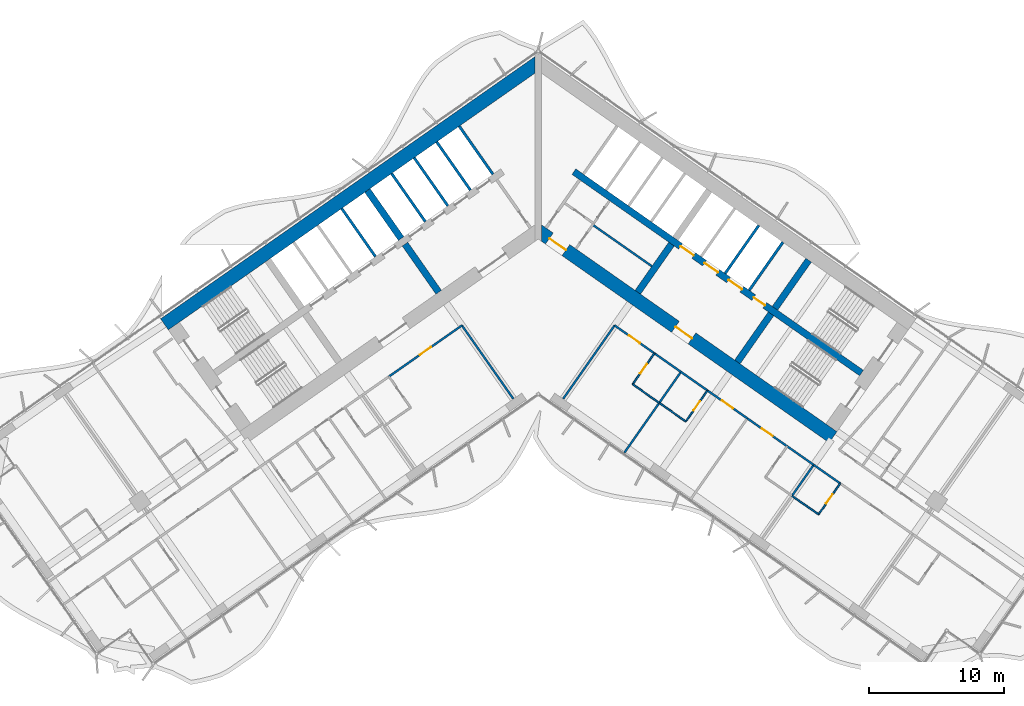
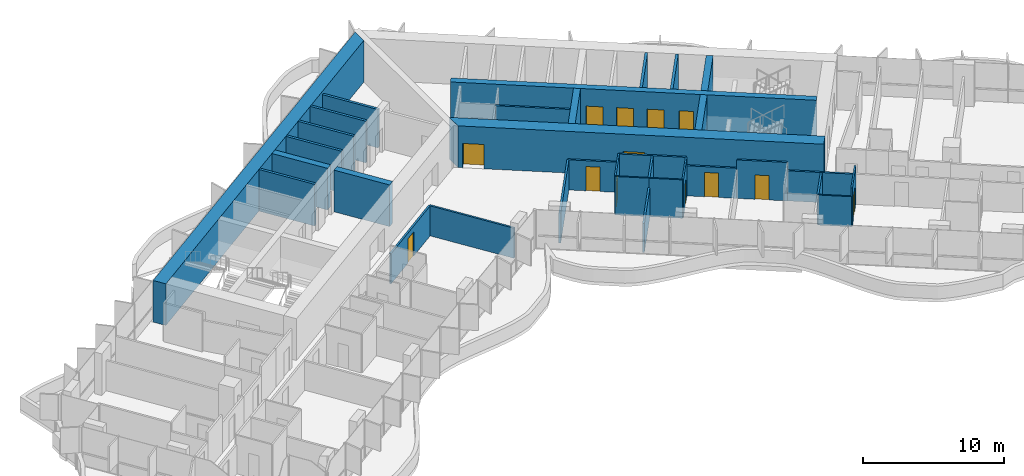
# One storey, part 14 of 23: 35 walls, 13 doors, 13 openings.
"""IFC4 building model written with IfcOpenShell, lengths in metres."""

from ifc_helpers import new_model, si_unit, direction, frame, frame_2d, origin, place, context, subcontext, project, spatial, polyline, rectangle, outline, extrude, material, layer, layer_set, type_object, element, fill, save


model = new_model("IFC4")

# Units and contexts
model_context = context("Model", 3, precision=1e-05, world=origin(), true_north=direction((0.0, 1.0)))
body_context = subcontext(model_context, "Body", "Model", "MODEL_VIEW")
ifc_project = project(units=[si_unit("LENGTHUNIT", "METRE"), si_unit("AREAUNIT", "SQUARE_METRE"), si_unit("VOLUMEUNIT", "CUBIC_METRE"), si_unit("PLANEANGLEUNIT", "RADIAN"), si_unit("MASSUNIT", "GRAM", prefix="KILO")], contexts=[model_context])

# Site, building, storey
site_placement = place(None, origin())
site = spatial("IfcSite", under=ifc_project, at=site_placement, CompositionType="ELEMENT")
building_placement = place(site_placement, origin())
building = spatial("IfcBuilding", under=site, at=building_placement, Name="Tel Ilan Convention Tower", CompositionType="ELEMENT")
storey_placement = place(building_placement, frame((0.0, 0.0, 101.300048828125)))
storey = spatial("IfcBuildingStorey", under=building, at=storey_placement, Name="L21", CompositionType="ELEMENT", Elevation=101.300048828125)

# Walls
ifc_material_1 = material(Name="Gypsum Plasterboard on Steel Stud", Category="steel")
ifc_layer_1 = layer(ifc_material_1, 0.14990234375)
ifc_layer_set_1 = layer_set([ifc_layer_1], Name="Core Room Partition Wall 150 mm EI 60")
wall_type_1 = type_object("IfcWallType", Name="Core Room Partition Wall 150 mm EI 60", PredefinedType="PARTITIONING", material=ifc_layer_set_1)
wall_1_placement = place(storey_placement, frame((4.03271484375, -0.16845703125, 0.0), z_axis=(0.0, 0.0, 1.0), x_axis=(0.819146154531, -0.573584847705, 0.0)))
element("IfcWall", 1, at=wall_1_placement, inside=storey, type_object=wall_type_1, Name="L21 core wall wc-h2", PredefinedType="PARTITIONING", context=body_context, shape_type="SweptSolid", body=[
    extrude(rectangle(XDim=5.349853515625, YDim=0.14990234375, at=frame_2d((2.6748046875, 0.0))), origin(), (0.0, 0.0, 1.0), 3.320068359375),
])
ifc_material_2 = material(Name="Concrete C30/37", Category="concrete")
ifc_layer_2 = layer(ifc_material_2, 0.199951171875)
ifc_layer_set_2 = layer_set([ifc_layer_2], Name="Core Service Room Wall 200 mm C30/37")
wall_type_2 = type_object("IfcWallType", Name="Core Service Room Wall 200 mm C30/37", PredefinedType="SOLIDWALL", material=ifc_layer_set_2)
wall_2_placement = place(storey_placement, frame((-3.355224609375, 3.5712890625, 0.0), z_axis=(0.0, 0.0, 1.0), x_axis=(-0.57356780395, 0.819158088694, 0.0)))
element("IfcWall", 2, at=wall_2_placement, inside=storey, type_object=wall_type_2, Name="L21 core wall apex-W-b", PredefinedType="SOLIDWALL", context=body_context, shape_type="SweptSolid", body=[
    extrude(rectangle(XDim=4.35009765625, YDim=0.199951171875, at=frame_2d((2.175048828125, 0.0))), origin(), (0.0, 0.0, 1.0), 3.320068359375),
])
ifc_material_3 = material(Name="Concrete C60/75", Category="concrete")
ifc_layer_3 = layer(ifc_material_3, 1.0)
ifc_layer_set_3 = layer_set([ifc_layer_3], Name="Core Shear Wall 1000 mm C60/75")
wall_type_3 = type_object("IfcWallType", Name="Core Shear Wall 1000 mm C60/75", PredefinedType="SHEAR", material=ifc_layer_set_3)
wall_3_placement = place(storey_placement, frame((0.036865234375, 11.8671875, 0.0), z_axis=(0.0, 0.0, 1.0), x_axis=(-0.819155306259, -0.573571777746, 0.0)))
element("IfcWall", 3, at=wall_3_placement, inside=storey, type_object=wall_type_3, Name="L21 core wall W-back", PredefinedType="SHEAR", context=body_context, shape_type="SweptSolid", body=[
    extrude(outline(polyline([(33.8369140625, 0.5), (0.7001953125, 0.499755859375), (0.0, -0.5), (33.8369140625, -0.5), (33.8369140625, 0.5)])), origin(), (0.0, 0.0, 1.0), 3.599853515625),
])

# Wall, openings, doors
wall_4_placement = place(storey_placement, frame((-0.036865234375, -0.584716796875, 0.0), z_axis=(0.0, 0.0, 1.0), x_axis=(0.819157152511, -0.573569140985, 0.0)))
wall_4 = element("IfcWall", 4, at=wall_4_placement, inside=storey, type_object=wall_type_3, Name="L21 core wall E-front", PredefinedType="SHEAR", context=body_context, shape_type="SweptSolid", body=[
    extrude(outline(polyline([(26.69482421875, 0.499755859375), (0.0, 0.5), (0.7001953125, -0.499755859375), (26.69482421875, -0.500244140625), (26.69482421875, 0.499755859375)])), origin(), (0.0, 0.0, 1.0), 3.599853515625),
])
opening_1_placement = place(wall_4_placement, frame((1.044921875, 0.0, 0.0)))
opening_1 = element("IfcOpeningElement", 5, at=opening_1_placement, cuts=wall_4, Name="Opening CD1903", PredefinedType="OPENING", context=body_context, shape_type="SweptSolid", body=[
    extrude(rectangle(XDim=1.5, YDim=2.10009765625, at=frame_2d((0.75, 1.050048828125))), frame((0.0, 0.510009765625, 0.0), z_axis=(0.0, -1.0, 0.0), x_axis=(1.0, 0.0, 0.0)), (0.0, 0.0, 1.0), 1.02001953125),
])
opening_2_placement = place(wall_4_placement, frame((12.44482421875, 0.0, 0.0)))
opening_2 = element("IfcOpeningElement", 6, at=opening_2_placement, cuts=wall_4, Name="Opening CD1904", PredefinedType="OPENING", context=body_context, shape_type="SweptSolid", body=[
    extrude(rectangle(XDim=1.5, YDim=2.10009765625, at=frame_2d((0.75, 1.050048828125))), frame((0.0, 0.510009765625, 0.0), z_axis=(0.0, -1.0, 0.0), x_axis=(1.0, 0.0, 0.0)), (0.0, 0.0, 1.0), 1.02001953125),
])
ifc_material_4 = material(Name="Glazed Aluminium Door Leaf", Category="aluminium")
door_type_1 = type_object("IfcDoorType", Name="Lobby Opening Door 1500 x 2100 FD60S", OperationType="NOTDEFINED", PredefinedType="DOOR", material=ifc_material_4)
door_1_placement = place(opening_2_placement, origin())
door_1 = element("IfcDoor", 7, at=door_1_placement, inside=storey, type_object=door_type_1, Name="Firefighting Lobby door", OperationType="DOUBLE_DOOR_SINGLE_SWING", OverallHeight=2.10009765625, OverallWidth=1.5, PredefinedType="DOOR", context=body_context, shape_type="SweptSolid", body=[
    extrude(rectangle(XDim=1.5, YDim=2.10009765625, at=frame_2d((0.75, 1.050048828125))), frame((0.0, 0.02490234375, 0.0), z_axis=(0.0, -1.0, 0.0), x_axis=(1.0, 0.0, 0.0)), (0.0, 0.0, 1.0), 0.050048828125),
])
fill(opening_2, door_1)
ifc_material_5 = material(Name="Laminated Timber Door Leaf", Category="wood")
door_type_2 = type_object("IfcDoorType", Name="Toilet Door 1500 x 2100 FD30S", OperationType="NOTDEFINED", PredefinedType="DOOR", material=ifc_material_5)
door_2_placement = place(opening_1_placement, origin())
door_2 = element("IfcDoor", 8, at=door_2_placement, inside=storey, type_object=door_type_2, Name="WC Lobby door", OperationType="SINGLE_SWING_RIGHT", OverallHeight=2.10009765625, OverallWidth=1.5, PredefinedType="DOOR", context=body_context, shape_type="SweptSolid", body=[
    extrude(rectangle(XDim=1.5, YDim=2.10009765625, at=frame_2d((0.75, 1.050048828125))), frame((0.0, 0.02490234375, 0.0), z_axis=(0.0, -1.0, 0.0), x_axis=(1.0, 0.0, 0.0)), (0.0, 0.0, 1.0), 0.050048828125),
])
fill(opening_1, door_2)

# Walls
ifc_material_6 = material(Name="Concrete C60/75", Category="concrete")
ifc_layer_4 = layer(ifc_material_6, 0.5)
ifc_layer_set_4 = layer_set([ifc_layer_4], Name="Core Shear Wall 500 mm C60/75")
wall_type_4 = type_object("IfcWallType", Name="Core Shear Wall 500 mm C60/75", PredefinedType="SHEAR", material=ifc_layer_set_4)
wall_5_placement = place(storey_placement, frame((-7.372314453125, -5.162109375, 0.0), z_axis=(0.0, 0.0, 1.0), x_axis=(-0.573594173421, 0.819139624372, 0.0)))
element("IfcWall", 9, at=wall_5_placement, inside=storey, type_object=wall_type_4, Name="L21 core wall W-cross1-1", PredefinedType="SHEAR", context=body_context, shape_type="SweptSolid", body=[
    extrude(outline(polyline([(4.349853515625, 0.25), (0.0, 0.250244140625), (0.0, -0.25), (4.349853515625, -0.25), (4.349853515625, 0.25)])), origin(), (0.0, 0.0, 1.0), 3.599853515625),
])
wall_6_placement = place(storey_placement, frame((-10.154296875, -1.189208984375, 0.0), z_axis=(0.0, 0.0, 1.0), x_axis=(-0.573594173421, 0.819139624372, 0.0)))
element("IfcWall", 10, at=wall_6_placement, inside=storey, type_object=wall_type_4, Name="L21 core wall W-cross1-2", PredefinedType="SHEAR", context=body_context, shape_type="SweptSolid", body=[
    extrude(outline(polyline([(4.349853515625, -0.25), (4.349853515625, 0.25), (-0.000244140625, 0.25), (-0.000244140625, -0.25), (4.349853515625, -0.25)])), origin(), (0.0, 0.0, 1.0), 3.599853515625),
])
wall_7_placement = place(storey_placement, frame((7.372314453125, -5.162109375, 0.0), z_axis=(0.0, 0.0, 1.0), x_axis=(0.573594173421, 0.819139624372, 0.0)))
element("IfcWall", 11, at=wall_7_placement, inside=storey, type_object=wall_type_4, Name="L21 core wall E-cross1-1", PredefinedType="SHEAR", context=body_context, shape_type="SweptSolid", body=[
    extrude(outline(polyline([(0.0, 0.25), (0.0, -0.250244140625), (4.349853515625, -0.25), (4.349853515625, 0.25), (0.0, 0.25)])), origin(), (0.0, 0.0, 1.0), 3.599853515625),
])
wall_8_placement = place(storey_placement, frame((14.74462890625, -10.324462890625, 0.0), z_axis=(0.0, 0.0, 1.0), x_axis=(0.57356780395, 0.819158088694, 0.0)))
element("IfcWall", 12, at=wall_8_placement, inside=storey, type_object=wall_type_4, Name="L21 core wall E-cross2-1", PredefinedType="SHEAR", context=body_context, shape_type="SweptSolid", body=[
    extrude(outline(polyline([(0.0, 0.25), (0.0, -0.25), (4.35009765625, -0.250244140625), (4.35009765625, 0.25), (0.0, 0.25)])), origin(), (0.0, 0.0, 1.0), 3.599853515625),
])
wall_9_placement = place(storey_placement, frame((17.526611328125, -6.3515625, 0.0), z_axis=(0.0, 0.0, 1.0), x_axis=(0.573530143085, 0.819184457233, 0.0)))
element("IfcWall", 13, at=wall_9_placement, inside=storey, type_object=wall_type_4, Name="L21 core wall E-cross2-2", PredefinedType="SHEAR", context=body_context, shape_type="SweptSolid", body=[
    extrude(outline(polyline([(4.35009765625, -0.250244140625), (4.35009765625, 0.249755859375), (0.0, 0.25), (0.0, -0.25), (4.35009765625, -0.250244140625)])), origin(), (0.0, 0.0, 1.0), 3.599853515625),
])

# Wall, openings, doors
wall_10_placement = place(storey_placement, frame((2.638427734375, 3.76806640625, 0.0), z_axis=(0.0, 0.0, 1.0), x_axis=(0.819148977158, -0.573580816643, 0.0)))
wall_10 = element("IfcWall", 14, at=wall_10_placement, inside=storey, type_object=wall_type_4, Name="L21 core wall E-spine", PredefinedType="SHEAR", context=body_context, shape_type="SweptSolid", body=[
    extrude(outline(polyline([(0.0, 0.25), (0.0, -0.25), (26.0, -0.249755859375), (26.0, 0.250244140625), (0.0, 0.25)])), origin(), (0.0, 0.0, 1.0), 3.599853515625),
])
opening_3_placement = place(wall_10_placement, frame((9.637451171875, 0.0, 0.0)))
opening_3 = element("IfcOpeningElement", 15, at=opening_3_placement, cuts=wall_10, Name="Opening LD1901", PredefinedType="OPENING", context=body_context, shape_type="SweptSolid", body=[
    extrude(rectangle(XDim=1.199951171875, YDim=2.10009765625, at=frame_2d((0.60009765625, 1.050048828125))), frame((0.0, 0.260009765625, 0.0), z_axis=(0.0, -1.0, 0.0), x_axis=(1.0, 0.0, 0.0)), (0.0, 0.0, 1.0), 0.52001953125),
])
opening_4_placement = place(wall_10_placement, frame((11.8125, 0.0, 0.0)))
opening_4 = element("IfcOpeningElement", 16, at=opening_4_placement, cuts=wall_10, Name="Opening LD1902", PredefinedType="OPENING", context=body_context, shape_type="SweptSolid", body=[
    extrude(rectangle(XDim=1.199951171875, YDim=2.10009765625, at=frame_2d((0.60009765625, 1.050048828125))), frame((0.0, 0.260009765625, 0.0), z_axis=(0.0, -1.0, 0.0), x_axis=(1.0, 0.0, 0.0)), (0.0, 0.0, 1.0), 0.52001953125),
])
opening_5_placement = place(wall_10_placement, frame((13.987548828125, 0.0, 0.0)))
opening_5 = element("IfcOpeningElement", 17, at=opening_5_placement, cuts=wall_10, Name="Opening LD1903", PredefinedType="OPENING", context=body_context, shape_type="SweptSolid", body=[
    extrude(rectangle(XDim=1.199951171875, YDim=2.10009765625, at=frame_2d((0.60009765625, 1.050048828125))), frame((0.0, 0.260009765625, 0.0), z_axis=(0.0, -1.0, 0.0), x_axis=(1.0, 0.0, 0.0)), (0.0, 0.0, 1.0), 0.52001953125),
])
opening_6_placement = place(wall_10_placement, frame((16.262451171875, 0.0, 0.0)))
opening_6 = element("IfcOpeningElement", 18, at=opening_6_placement, cuts=wall_10, Name="Opening CD1907", PredefinedType="OPENING", context=body_context, shape_type="SweptSolid", body=[
    extrude(rectangle(XDim=1.0, YDim=2.10009765625, at=frame_2d((0.5, 1.050048828125))), frame((0.0, 0.260009765625, 0.0), z_axis=(0.0, -1.0, 0.0), x_axis=(1.0, 0.0, 0.0)), (0.0, 0.0, 1.0), 0.52001953125),
])
ifc_material_7 = material(Name="Stainless Steel Sliding Door Leaf", Category="steel")
door_type_3 = type_object("IfcDoorType", Name="Lift Landing Door 1200 x 2100 FD120", OperationType="NOTDEFINED", PredefinedType="DOOR", material=ifc_material_7)
door_3_placement = place(opening_3_placement, origin())
door_3 = element("IfcDoor", 19, at=door_3_placement, inside=storey, type_object=door_type_3, Name="Lift FL1 landing door", OperationType="SLIDING_TO_LEFT", OverallHeight=2.10009765625, OverallWidth=1.199951171875, PredefinedType="DOOR", context=body_context, shape_type="SweptSolid", body=[
    extrude(rectangle(XDim=1.199951171875, YDim=2.10009765625, at=frame_2d((0.60009765625, 1.050048828125))), frame((0.0, 0.02490234375, 0.0), z_axis=(0.0, -1.0, 0.0), x_axis=(1.0, 0.0, 0.0)), (0.0, 0.0, 1.0), 0.050048828125),
])
fill(opening_3, door_3)
door_4_placement = place(opening_4_placement, origin())
door_4 = element("IfcDoor", 20, at=door_4_placement, inside=storey, type_object=door_type_3, Name="Lift FL2 landing door", OperationType="SLIDING_TO_RIGHT", OverallHeight=2.10009765625, OverallWidth=1.199951171875, PredefinedType="DOOR", context=body_context, shape_type="SweptSolid", body=[
    extrude(rectangle(XDim=1.199951171875, YDim=2.10009765625, at=frame_2d((0.60009765625, 1.050048828125))), frame((0.0, 0.02490234375, 0.0), z_axis=(0.0, -1.0, 0.0), x_axis=(1.0, 0.0, 0.0)), (0.0, 0.0, 1.0), 0.050048828125),
])
fill(opening_4, door_4)
door_5_placement = place(opening_5_placement, origin())
door_5 = element("IfcDoor", 21, at=door_5_placement, inside=storey, type_object=door_type_3, Name="Lift FL3 landing door", OperationType="SLIDING_TO_LEFT", OverallHeight=2.10009765625, OverallWidth=1.199951171875, PredefinedType="DOOR", context=body_context, shape_type="SweptSolid", body=[
    extrude(rectangle(XDim=1.199951171875, YDim=2.10009765625, at=frame_2d((0.60009765625, 1.050048828125))), frame((0.0, 0.02490234375, 0.0), z_axis=(0.0, -1.0, 0.0), x_axis=(1.0, 0.0, 0.0)), (0.0, 0.0, 1.0), 0.050048828125),
])
fill(opening_5, door_5)
ifc_material_8 = material(Name="Galvanised Steel Door Leaf", Category="steel")
door_type_4 = type_object("IfcDoorType", Name="Service Room Door 1000 x 2100 FD60", OperationType="NOTDEFINED", PredefinedType="DOOR", material=ifc_material_8)
door_6_placement = place(opening_6_placement, origin())
door_6 = element("IfcDoor", 22, at=door_6_placement, inside=storey, type_object=door_type_4, Name="Plant Room door", OperationType="SINGLE_SWING_RIGHT", OverallHeight=2.10009765625, OverallWidth=1.0, PredefinedType="DOOR", context=body_context, shape_type="SweptSolid", body=[
    extrude(rectangle(XDim=1.0, YDim=2.10009765625, at=frame_2d((0.5, 1.050048828125))), frame((0.0, 0.02490234375, 0.0), z_axis=(0.0, -1.0, 0.0), x_axis=(1.0, 0.0, 0.0)), (0.0, 0.0, 1.0), 0.050048828125),
])
fill(opening_6, door_6)

# Wall, opening, door
ifc_material_9 = material(Name="Plasterboard on Steel Studs", Category="steel")
ifc_layer_5 = layer(ifc_material_9, 0.14990234375)
ifc_layer_set_5 = layer_set([ifc_layer_5], Name="Fire-rated Partition 150 EI 60")
wall_type_5 = type_object("IfcWallType", Name="Fire-rated Partition 150 EI 60", PredefinedType="PARTITIONING", material=ifc_layer_set_5)
wall_11_placement = place(storey_placement, frame((8.601318359375, -9.68505859375, 0.0), z_axis=(0.0, 0.0, 1.0), x_axis=(-0.819149096931, 0.573580645591, 0.0)))
wall_11 = element("IfcWall", 23, at=wall_11_placement, inside=storey, type_object=wall_type_5, Name="Partition 006", PredefinedType="PARTITIONING", context=body_context, shape_type="SweptSolid", body=[
    extrude(rectangle(XDim=3.600830078125, YDim=0.14990234375, at=frame_2d((1.80029296875, 0.0))), origin(), (0.0, 0.0, 1.0), 2.599853515625),
])
opening_7_placement = place(wall_11_placement, frame((1.301025390625, 0.0, 0.0)))
opening_7 = element("IfcOpeningElement", 24, at=opening_7_placement, cuts=wall_11, Name="Opening L21-020", PredefinedType="OPENING", context=body_context, shape_type="SweptSolid", body=[
    extrude(rectangle(XDim=1.0, YDim=2.10009765625, at=frame_2d((0.5, 1.050048828125))), frame((0.0, 0.0849609375, 0.0), z_axis=(0.0, -1.0, 0.0), x_axis=(1.0, 0.0, 0.0)), (0.0, 0.0, 1.0), 0.169921875),
])
ifc_material_10 = material(Name="Timber Door Leaf in Steel Frame", Category="steel")
door_type_5 = type_object("IfcDoorType", Name="Hotel Room Entrance Fire Door 1000x2100", OperationType="NOTDEFINED", PredefinedType="DOOR", material=ifc_material_10)
door_7_placement = place(opening_7_placement, origin())
door_7 = element("IfcDoor", 25, at=door_7_placement, inside=storey, type_object=door_type_5, Name="Door L21-020", OperationType="SINGLE_SWING_RIGHT", OverallHeight=2.10009765625, OverallWidth=1.0, PredefinedType="DOOR", context=body_context, shape_type="SweptSolid", body=[
    extrude(rectangle(XDim=1.0, YDim=2.10009765625, at=frame_2d((0.5, 1.050048828125))), frame((0.0, 0.02490234375, 0.0), z_axis=(0.0, -1.0, 0.0), x_axis=(1.0, 0.0, 0.0)), (0.0, 0.0, 1.0), 0.050048828125),
])
fill(opening_7, door_7)

# Wall
wall_12_placement = place(storey_placement, frame((10.568115234375, -11.062255859375, 0.0), z_axis=(0.0, 0.0, 1.0), x_axis=(-0.819146032251, 0.573585022335, 0.0)))
element("IfcWall", 26, at=wall_12_placement, inside=storey, type_object=wall_type_5, Name="Partition 007", PredefinedType="PARTITIONING", context=body_context, shape_type="SweptSolid", body=[
    extrude(rectangle(XDim=2.404052734375, YDim=0.14990234375, at=frame_2d((1.2021484375, 0.0))), origin(), (0.0, 0.0, 1.0), 3.320068359375),
])

# Wall, opening, door
wall_13_placement = place(storey_placement, frame((15.483154296875, -14.503662109375, 0.0), z_axis=(0.0, 0.0, 1.0), x_axis=(-0.819145961204, 0.573585123798, 0.0)))
wall_13 = element("IfcWall", 27, at=wall_13_placement, inside=storey, type_object=wall_type_5, Name="Partition 008", PredefinedType="PARTITIONING", context=body_context, shape_type="SweptSolid", body=[
    extrude(rectangle(XDim=3.60302734375, YDim=0.14990234375, at=frame_2d((1.801513671875, 0.0))), origin(), (0.0, 0.0, 1.0), 2.599853515625),
])
opening_8_placement = place(wall_13_placement, frame((1.302001953125, 0.0, 0.0)))
opening_8 = element("IfcOpeningElement", 28, at=opening_8_placement, cuts=wall_13, Name="Opening L21-022", PredefinedType="OPENING", context=body_context, shape_type="SweptSolid", body=[
    extrude(rectangle(XDim=1.0, YDim=2.10009765625, at=frame_2d((0.5, 1.050048828125))), frame((0.0, 0.0849609375, 0.0), z_axis=(0.0, -1.0, 0.0), x_axis=(1.0, 0.0, 0.0)), (0.0, 0.0, 1.0), 0.169921875),
])
door_8_placement = place(opening_8_placement, origin())
door_8 = element("IfcDoor", 29, at=door_8_placement, inside=storey, type_object=door_type_5, Name="Door L21-022", OperationType="SINGLE_SWING_RIGHT", OverallHeight=2.10009765625, OverallWidth=1.0, PredefinedType="DOOR", context=body_context, shape_type="SweptSolid", body=[
    extrude(rectangle(XDim=1.0, YDim=2.10009765625, at=frame_2d((0.5, 1.050048828125))), frame((0.0, 0.02490234375, 0.0), z_axis=(0.0, -1.0, 0.0), x_axis=(1.0, 0.0, 0.0)), (0.0, 0.0, 1.0), 0.050048828125),
])
fill(opening_8, door_8)

# Wall
wall_14_placement = place(storey_placement, frame((12.5341796875, -12.438720703125, 0.0), z_axis=(0.0, 0.0, 1.0), x_axis=(-0.819193748, 0.57351687267, 0.0)))
element("IfcWall", 30, at=wall_14_placement, inside=storey, type_object=wall_type_5, Name="Partition 009", PredefinedType="PARTITIONING", context=body_context, shape_type="SweptSolid", body=[
    extrude(rectangle(XDim=2.40380859375, YDim=0.14990234375, at=frame_2d((1.201904296875, 0.0))), origin(), (0.0, 0.0, 1.0), 3.320068359375),
])

# Wall, opening, door
wall_15_placement = place(storey_placement, frame((18.43115234375, -16.568115234375, 0.0), z_axis=(0.0, 0.0, 1.0), x_axis=(-0.819145961204, 0.573585123798, 0.0)))
wall_15 = element("IfcWall", 31, at=wall_15_placement, inside=storey, type_object=wall_type_5, Name="Partition 010", PredefinedType="PARTITIONING", context=body_context, shape_type="SweptSolid", body=[
    extrude(rectangle(XDim=3.60302734375, YDim=0.14990234375, at=frame_2d((1.801513671875, 0.0))), origin(), (0.0, 0.0, 1.0), 3.320068359375),
])
opening_9_placement = place(wall_15_placement, frame((1.301025390625, 0.0, 0.0)))
opening_9 = element("IfcOpeningElement", 32, at=opening_9_placement, cuts=wall_15, Name="Opening L21-024", PredefinedType="OPENING", context=body_context, shape_type="SweptSolid", body=[
    extrude(rectangle(XDim=1.0, YDim=2.10009765625, at=frame_2d((0.5, 1.050048828125))), frame((0.0, 0.0849609375, 0.0), z_axis=(0.0, -1.0, 0.0), x_axis=(1.0, 0.0, 0.0)), (0.0, 0.0, 1.0), 0.169921875),
])
door_9_placement = place(opening_9_placement, origin())
door_9 = element("IfcDoor", 33, at=door_9_placement, inside=storey, type_object=door_type_5, Name="Door L21-024", OperationType="SINGLE_SWING_RIGHT", OverallHeight=2.10009765625, OverallWidth=1.0, PredefinedType="DOOR", context=body_context, shape_type="SweptSolid", body=[
    extrude(rectangle(XDim=1.0, YDim=2.10009765625, at=frame_2d((0.5, 1.050048828125))), frame((0.0, 0.02490234375, 0.0), z_axis=(0.0, -1.0, 0.0), x_axis=(1.0, 0.0, 0.0)), (0.0, 0.0, 1.0), 0.050048828125),
])
fill(opening_9, door_9)

# Walls
for number, where, z_axis, x_axis, name in (
    (34, (20.39794921875, -17.9453125, 0.0), (0.0, 0.0, 1.0), (-0.819146032251, 0.573585022335, 0.0), "Partition 011"),
    (35, (22.364013671875, -19.32177734375, 0.0), (0.0, 0.0, 1.0), (-0.819146032251, 0.573585022335, 0.0), "Partition 013"),
):
    element("IfcWall", number, at=place(storey_placement, frame(where, z_axis=z_axis, x_axis=x_axis)), inside=storey, type_object=wall_type_5, Name=name, PredefinedType="PARTITIONING", context=body_context, shape_type="SweptSolid", body=[
        extrude(rectangle(XDim=2.404052734375, YDim=0.14990234375, at=frame_2d((1.2021484375, 0.0))), origin(), (0.0, 0.0, 1.0), 2.599853515625),
    ])

# Wall, opening, door
wall_16_placement = place(storey_placement, frame((-5.651611328125, -7.61962890625, 0.0), z_axis=(0.0, 0.0, 1.0), x_axis=(-0.819155459934, -0.573571558274, 0.0)))
wall_16 = element("IfcWall", 36, at=wall_16_placement, inside=storey, type_object=wall_type_5, Name="Partition 022", PredefinedType="PARTITIONING", context=body_context, shape_type="SweptSolid", body=[
    extrude(rectangle(XDim=6.60107421875, YDim=0.14990234375, at=frame_2d((3.300537109375, 0.0))), origin(), (0.0, 0.0, 1.0), 2.599853515625),
])
opening_10_placement = place(wall_16_placement, frame((2.800048828125, 0.0, 0.0)))
opening_10 = element("IfcOpeningElement", 37, at=opening_10_placement, cuts=wall_16, Name="Opening L21-002", PredefinedType="OPENING", context=body_context, shape_type="SweptSolid", body=[
    extrude(rectangle(XDim=1.0, YDim=2.10009765625, at=frame_2d((0.5, 1.050048828125))), frame((0.0, 0.0849609375, 0.0), z_axis=(0.0, -1.0, 0.0), x_axis=(1.0, 0.0, 0.0)), (0.0, 0.0, 1.0), 0.169921875),
])
door_10_placement = place(opening_10_placement, origin())
door_10 = element("IfcDoor", 38, at=door_10_placement, inside=storey, type_object=door_type_5, Name="Door L21-002", OperationType="SINGLE_SWING_LEFT", OverallHeight=2.10009765625, OverallWidth=1.0, PredefinedType="DOOR", context=body_context, shape_type="SweptSolid", body=[
    extrude(rectangle(XDim=1.0, YDim=2.10009765625, at=frame_2d((0.5, 1.050048828125))), frame((0.0, 0.02490234375, 0.0), z_axis=(0.0, -1.0, 0.0), x_axis=(1.0, 0.0, 0.0)), (0.0, 0.0, 1.0), 0.050048828125),
])
fill(opening_10, door_10)

# Walls
wall_17_placement = place(storey_placement, frame((8.9599609375, -13.35546875, 0.0), z_axis=(0.0, 0.0, 1.0), x_axis=(-0.573564311442, -0.819160534108, 0.0)))
element("IfcWall", 39, at=wall_17_placement, inside=storey, type_object=wall_type_5, Name="Partition 046", PredefinedType="PARTITIONING", context=body_context, shape_type="SweptSolid", body=[
    extrude(rectangle(XDim=4.499267578125, YDim=0.14990234375, at=frame_2d((2.24951171875, 0.0))), origin(), (0.0, 0.0, 1.0), 2.5),
])
wall_18_placement = place(storey_placement, frame((1.848876953125, -13.050537109375, 0.0), z_axis=(0.0, 0.0, 1.0), x_axis=(0.57357355307, 0.819154063177, 0.0)))
element("IfcWall", 40, at=wall_18_placement, inside=storey, type_object=wall_type_5, Name="Partition 047", PredefinedType="PARTITIONING", context=body_context, shape_type="SweptSolid", body=[
    extrude(rectangle(XDim=6.6298828125, YDim=0.14990234375, at=frame_2d((3.31494140625, 0.0))), origin(), (0.0, 0.0, 1.0), 2.599853515625),
])
wall_19_placement = place(storey_placement, frame((10.566650390625, -11.06103515625, 0.0), z_axis=(0.0, 0.0, 1.0), x_axis=(-0.573608623498, -0.819129505664, 0.0)))
element("IfcWall", 41, at=wall_19_placement, inside=storey, type_object=wall_type_5, Name="Partition 048", PredefinedType="PARTITIONING", context=body_context, shape_type="SweptSolid", body=[
    extrude(rectangle(XDim=2.800048828125, YDim=0.14990234375, at=frame_2d((1.39990234375, 0.0))), origin(), (0.0, 0.0, 1.0), 3.320068359375),
])
wall_20_placement = place(storey_placement, frame((20.396484375, -17.944091796875, 0.0), z_axis=(0.0, 0.0, 1.0), x_axis=(-0.57364959175, -0.819100815459, 0.0)))
element("IfcWall", 42, at=wall_20_placement, inside=storey, type_object=wall_type_5, Name="Partition 055", PredefinedType="PARTITIONING", context=body_context, shape_type="SweptSolid", body=[
    extrude(rectangle(XDim=2.800048828125, YDim=0.14990234375, at=frame_2d((1.39990234375, 0.0))), origin(), (0.0, 0.0, 1.0), 2.599853515625),
])
wall_21_placement = place(storey_placement, frame((-1.848876953125, -13.050537109375, 0.0), z_axis=(0.0, 0.0, 1.0), x_axis=(-0.573575988258, 0.819152358047, 0.0)))
element("IfcWall", 43, at=wall_21_placement, inside=storey, type_object=wall_type_5, Name="Partition 062", PredefinedType="PARTITIONING", context=body_context, shape_type="SweptSolid", body=[
    extrude(rectangle(XDim=6.632080078125, YDim=0.14990234375, at=frame_2d((3.31591796875, 0.0))), origin(), (0.0, 0.0, 1.0), 2.599853515625),
])
ifc_material_11 = material(Name="Concrete C30/37", Category="concrete")
ifc_layer_6 = layer(ifc_material_11, 0.199951171875)
ifc_layer_set_6 = layer_set([ifc_layer_6], Name="Lift Shaft Wall 200 mm C30/37")
wall_type_6 = type_object("IfcWallType", Name="Lift Shaft Wall 200 mm C30/37", PredefinedType="SOLIDWALL", material=ifc_layer_set_6)
wall_22_placement = place(storey_placement, frame((-5.0244140625, 2.402587890625, 0.0), z_axis=(0.0, 0.0, 1.0), x_axis=(-0.573530143085, 0.819184457233, 0.0)))
element("IfcWall", 44, at=wall_22_placement, inside=storey, type_object=wall_type_6, Name="L21 core wall bank-W1-p0", PredefinedType="SOLIDWALL", context=body_context, shape_type="SweptSolid", body=[
    extrude(rectangle(XDim=4.35009765625, YDim=0.199951171875, at=frame_2d((2.175048828125, 0.0))), origin(), (0.0, 0.0, 1.0), 3.599853515625),
])
for number, where, z_axis, x_axis, name in (
    (45, (-6.693359375, 1.234130859375, 0.0), (0.0, 0.0, 1.0), (-0.573594173421, 0.819139624372, 0.0), "L21 core wall bank-W1-p1"),
    (46, (-8.3623046875, 0.0654296875, 0.0), (0.0, 0.0, 1.0), (-0.573594173421, 0.819139624372, 0.0), "L21 core wall bank-W1-p2"),
    (47, (-12.05859375, -2.52294921875, 0.0), (0.0, 0.0, 1.0), (-0.573594173421, 0.819139624372, 0.0), "L21 core wall bank-W2-p0"),
):
    element("IfcWall", number, at=place(storey_placement, frame(where, z_axis=z_axis, x_axis=x_axis)), inside=storey, type_object=wall_type_6, Name=name, PredefinedType="SOLIDWALL", context=body_context, shape_type="SweptSolid", body=[
        extrude(rectangle(XDim=4.349853515625, YDim=0.199951171875, at=frame_2d((2.1748046875, 0.0))), origin(), (0.0, 0.0, 1.0), 3.599853515625),
    ])
wall_23_placement = place(storey_placement, frame((13.84033203125, -3.7705078125, 0.0), z_axis=(0.0, 0.0, 1.0), x_axis=(0.57356780395, 0.819158088694, 0.0)))
element("IfcWall", 48, at=wall_23_placement, inside=storey, type_object=wall_type_6, Name="L21 core wall bank-E2-p1", PredefinedType="SOLIDWALL", context=body_context, shape_type="SweptSolid", body=[
    extrude(rectangle(XDim=4.35009765625, YDim=0.199951171875, at=frame_2d((2.175048828125, 0.0))), origin(), (0.0, 0.0, 1.0), 3.599853515625),
])
wall_24_placement = place(storey_placement, frame((15.6220703125, -5.017822265625, 0.0), z_axis=(0.0, 0.0, 1.0), x_axis=(0.573594173421, 0.819139624372, 0.0)))
element("IfcWall", 49, at=wall_24_placement, inside=storey, type_object=wall_type_6, Name="L21 core wall bank-E2-p2", PredefinedType="SOLIDWALL", context=body_context, shape_type="SweptSolid", body=[
    extrude(rectangle(XDim=4.349853515625, YDim=0.199951171875, at=frame_2d((2.1748046875, 0.0))), origin(), (0.0, 0.0, 1.0), 3.599853515625),
])

# Wall, opening, door
ifc_material_12 = material(Name="Plasterboard on Steel Studs", Category="steel")
ifc_layer_7 = layer(ifc_material_12, 0.1201171875)
ifc_layer_set_7 = layer_set([ifc_layer_7], Name="Moisture-resistant Partition 120")
wall_type_7 = type_object("IfcWallType", Name="Moisture-resistant Partition 120", PredefinedType="PARTITIONING", material=ifc_layer_set_7)
wall_25_placement = place(storey_placement, frame((8.599853515625, -9.683837890625, 0.0), z_axis=(0.0, 0.0, 1.0), x_axis=(-0.573550118428, -0.819170471667, 0.0)))
wall_25 = element("IfcWall", 50, at=wall_25_placement, inside=storey, type_object=wall_type_7, Name="Partition 044", PredefinedType="PARTITIONING", context=body_context, shape_type="SweptSolid", body=[
    extrude(rectangle(XDim=2.800048828125, YDim=0.1201171875, at=frame_2d((1.39990234375, 0.0))), origin(), (0.0, 0.0, 1.0), 3.320068359375),
])
opening_11_placement = place(wall_25_placement, frame((0.97509765625, 0.0, 0.0)))
opening_11 = element("IfcOpeningElement", 51, at=opening_11_placement, cuts=wall_25, Name="Opening L21-019", PredefinedType="OPENING", context=body_context, shape_type="SweptSolid", body=[
    extrude(rectangle(XDim=0.85009765625, YDim=2.050048828125, at=frame_2d((0.425048828125, 1.02490234375))), frame((0.0, 0.070068359375, 0.0), z_axis=(0.0, -1.0, 0.0), x_axis=(1.0, 0.0, 0.0)), (0.0, 0.0, 1.0), 0.14013671875),
])
ifc_material_13 = material(Name="Timber Door Leaf in Steel Frame", Category="steel")
door_type_6 = type_object("IfcDoorType", Name="Bathroom Timber Door 850x2050", OperationType="NOTDEFINED", PredefinedType="DOOR", material=ifc_material_13)
door_11_placement = place(opening_11_placement, origin())
door_11 = element("IfcDoor", 52, at=door_11_placement, inside=storey, type_object=door_type_6, Name="Door L21-019", OperationType="SINGLE_SWING_LEFT", OverallHeight=2.050048828125, OverallWidth=0.85009765625, PredefinedType="DOOR", context=body_context, shape_type="SweptSolid", body=[
    extrude(rectangle(XDim=0.85009765625, YDim=2.050048828125, at=frame_2d((0.425048828125, 1.02490234375))), frame((0.0, 0.02490234375, 0.0), z_axis=(0.0, -1.0, 0.0), x_axis=(1.0, 0.0, 0.0)), (0.0, 0.0, 1.0), 0.050048828125),
])
fill(opening_11, door_11)

# Walls
for number, where, z_axis, x_axis, name in (
    (53, (6.993896484375, -11.97900390625, 0.0), (0.0, 0.0, 1.0), (0.819188907105, -0.573523787192, 0.0), "Partition 045"),
    (54, (8.9599609375, -13.35546875, 0.0), (0.0, 0.0, 1.0), (0.819107643868, -0.573639841501, 0.0), "Partition 049"),
):
    element("IfcWall", number, at=place(storey_placement, frame(where, z_axis=z_axis, x_axis=x_axis)), inside=storey, type_object=wall_type_7, Name=name, PredefinedType="PARTITIONING", context=body_context, shape_type="SweptSolid", body=[
        extrude(rectangle(XDim=2.39990234375, YDim=0.1201171875, at=frame_2d((1.199951171875, 0.0))), origin(), (0.0, 0.0, 1.0), 3.320068359375),
    ])

# Wall, opening, door
wall_26_placement = place(storey_placement, frame((10.92724609375, -14.73193359375, 0.0), z_axis=(0.0, 0.0, 1.0), x_axis=(0.573550118428, 0.819170471667, 0.0)))
wall_26 = element("IfcWall", 55, at=wall_26_placement, inside=storey, type_object=wall_type_7, Name="Partition 050", PredefinedType="PARTITIONING", context=body_context, shape_type="SweptSolid", body=[
    extrude(rectangle(XDim=2.800048828125, YDim=0.1201171875, at=frame_2d((1.39990234375, 0.0))), origin(), (0.0, 0.0, 1.0), 3.320068359375),
])
opening_12_placement = place(wall_26_placement, frame((0.97509765625, 0.0, 0.0)))
opening_12 = element("IfcOpeningElement", 56, at=opening_12_placement, cuts=wall_26, Name="Opening L21-021", PredefinedType="OPENING", context=body_context, shape_type="SweptSolid", body=[
    extrude(rectangle(XDim=0.85009765625, YDim=2.050048828125, at=frame_2d((0.425048828125, 1.02490234375))), frame((0.0, 0.070068359375, 0.0), z_axis=(0.0, -1.0, 0.0), x_axis=(1.0, 0.0, 0.0)), (0.0, 0.0, 1.0), 0.14013671875),
])
door_12_placement = place(opening_12_placement, origin())
door_12 = element("IfcDoor", 57, at=door_12_placement, inside=storey, type_object=door_type_6, Name="Door L21-021", OperationType="SINGLE_SWING_LEFT", OverallHeight=2.050048828125, OverallWidth=0.85009765625, PredefinedType="DOOR", context=body_context, shape_type="SweptSolid", body=[
    extrude(rectangle(XDim=0.85009765625, YDim=2.050048828125, at=frame_2d((0.425048828125, 1.02490234375))), frame((0.0, 0.02490234375, 0.0), z_axis=(0.0, -1.0, 0.0), x_axis=(1.0, 0.0, 0.0)), (0.0, 0.0, 1.0), 0.050048828125),
])
fill(opening_12, door_12)

# Wall
wall_27_placement = place(storey_placement, frame((18.789794921875, -20.238525390625, 0.0), z_axis=(0.0, 0.0, 1.0), x_axis=(0.819188907105, -0.573523787192, 0.0)))
element("IfcWall", 58, at=wall_27_placement, inside=storey, type_object=wall_type_7, Name="Partition 056", PredefinedType="PARTITIONING", context=body_context, shape_type="SweptSolid", body=[
    extrude(rectangle(XDim=2.39990234375, YDim=0.1201171875, at=frame_2d((1.199951171875, 0.0))), origin(), (0.0, 0.0, 1.0), 2.599853515625),
])

# Wall, opening, door
wall_28_placement = place(storey_placement, frame((20.757080078125, -21.61474609375, 0.0), z_axis=(0.0, 0.0, 1.0), x_axis=(0.57364959175, 0.819100815459, 0.0)))
wall_28 = element("IfcWall", 59, at=wall_28_placement, inside=storey, type_object=wall_type_7, Name="Partition 057", PredefinedType="PARTITIONING", context=body_context, shape_type="SweptSolid", body=[
    extrude(rectangle(XDim=2.800048828125, YDim=0.1201171875, at=frame_2d((1.39990234375, 0.0))), origin(), (0.0, 0.0, 1.0), 3.320068359375),
])
opening_13_placement = place(wall_28_placement, frame((0.97509765625, 0.0, 0.0)))
opening_13 = element("IfcOpeningElement", 60, at=opening_13_placement, cuts=wall_28, Name="Opening L21-025", PredefinedType="OPENING", context=body_context, shape_type="SweptSolid", body=[
    extrude(rectangle(XDim=0.85009765625, YDim=2.050048828125, at=frame_2d((0.425048828125, 1.02490234375))), frame((0.0, 0.070068359375, 0.0), z_axis=(0.0, -1.0, 0.0), x_axis=(1.0, 0.0, 0.0)), (0.0, 0.0, 1.0), 0.14013671875),
])
door_13_placement = place(opening_13_placement, origin())
door_13 = element("IfcDoor", 61, at=door_13_placement, inside=storey, type_object=door_type_6, Name="Door L21-025", OperationType="SINGLE_SWING_LEFT", OverallHeight=2.050048828125, OverallWidth=0.85009765625, PredefinedType="DOOR", context=body_context, shape_type="SweptSolid", body=[
    extrude(rectangle(XDim=0.85009765625, YDim=2.050048828125, at=frame_2d((0.425048828125, 1.02490234375))), frame((0.0, 0.02490234375, 0.0), z_axis=(0.0, -1.0, 0.0), x_axis=(1.0, 0.0, 0.0)), (0.0, 0.0, 1.0), 0.050048828125),
])
fill(opening_13, door_13)

save(model, "model.ifc")
